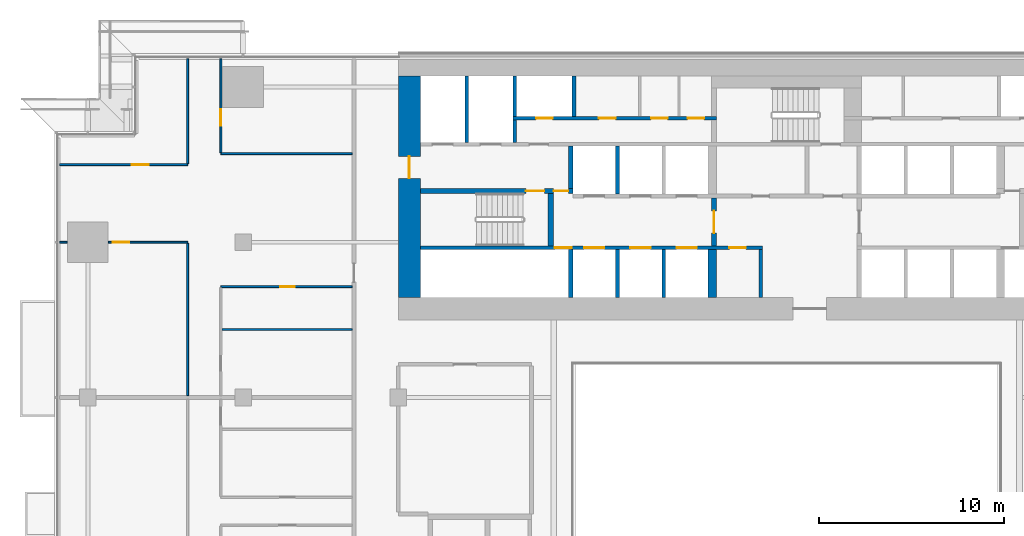
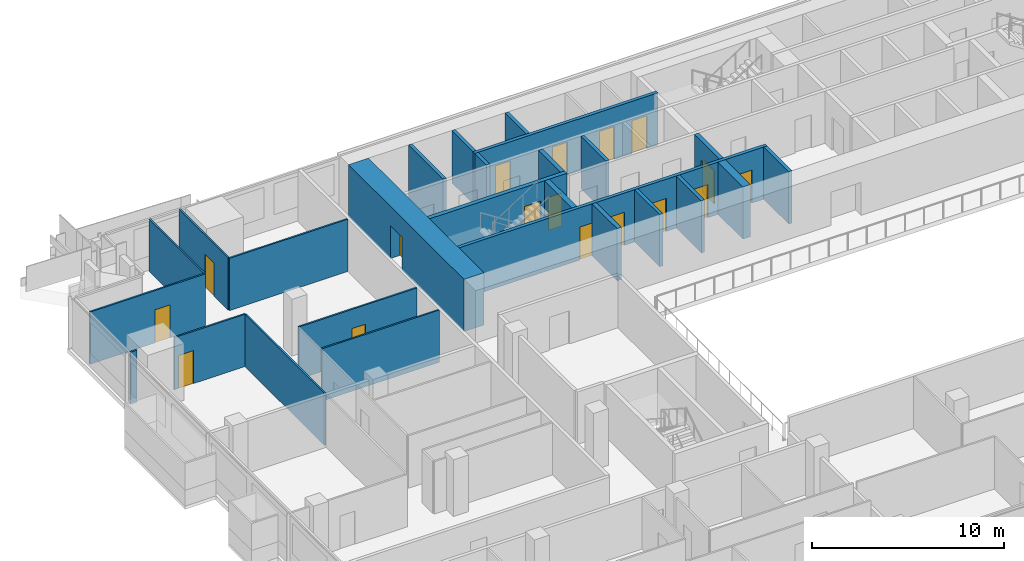
# One storey, part 20 of 29: 26 walls, 17 doors, 17 openings.
"""IFC4 building model written with IfcOpenShell, lengths in metres."""

import ifcopenshell
import ifcopenshell.guid

model = None  # the IFC model being written
_history = None  # IfcOwnerHistory: only IFC2X3 demands one
_inside = {}  # id of a spatial element -> (the spatial element, [elements in it])
_under = {}  # id of a project, library or spatial element -> (it, [spatial elements below it])
_declared = {}  # id of a project -> (the project, [libraries it declares])
_typed = {}  # id of a type object -> (the type object, [elements of that type])
_made_of = {}  # id of a material, layer set ... -> (it, [elements and type objects made of it])


def new_model(schema):
    """Start an empty IFC model of exactly this schema.

    Asked for "IFC4X3", IfcOpenShell would pick the latest addendum, in which some entities
    have other attributes; the version numbers below select the first issue.
    IFC2X3 requires an IfcOwnerHistory on every rooted entity: one is made here for all.
    """
    global model, _history
    if schema == "IFC4X3":
        model = ifcopenshell.file(schema_version=(4, 3, 0, 0))
    else:
        model = ifcopenshell.file(schema=schema)
    _inside.clear()
    _under.clear()
    _declared.clear()
    _typed.clear()
    _made_of.clear()
    _history = None
    if model.schema == "IFC2X3":
        org = make("IfcOrganization", Name="unknown")
        user = make(
            "IfcPersonAndOrganization",
            ThePerson=make("IfcPerson", FamilyName="unknown"),
            TheOrganization=org,
        )
        app = make(
            "IfcApplication",
            ApplicationDeveloper=org,
            Version="unknown",
            ApplicationFullName="unknown",
            ApplicationIdentifier="unknown",
        )
        _history = make(
            "IfcOwnerHistory",
            OwningUser=user,
            OwningApplication=app,
            ChangeAction="ADDED",
            CreationDate=0,
        )
    return model


def make(cls, **values):
    """One entity of the class cls with the attributes given. An attribute that is None is left unset."""
    return model.create_entity(
        cls, **{name: value for name, value in values.items() if value is not None}
    )


def rooted(cls, **values):
    """An entity with a GlobalId (a new one), such as an element, a storey or a relation."""
    return make(cls, GlobalId=ifcopenshell.guid.new(), OwnerHistory=_history, **values)


def si_unit(unit_type, name, prefix=None):
    """IfcSIUnit, for example si_unit("LENGTHUNIT", "METRE", prefix="MILLI")."""
    return make("IfcSIUnit", UnitType=unit_type, Prefix=prefix, Name=name)


def assignment(units):
    """IfcUnitAssignment: the units of a project."""
    return None if units is None else make("IfcUnitAssignment", Units=units)


def point(xyz):
    """IfcCartesianPoint."""
    return None if xyz is None else make("IfcCartesianPoint", Coordinates=xyz)


def direction(xyz):
    """IfcDirection."""
    return None if xyz is None else make("IfcDirection", DirectionRatios=xyz)


def frame(location, z_axis=None, x_axis=None):
    """IfcAxis2Placement3D, a coordinate frame: its origin and axes. An axis left out is left unset."""
    return make(
        "IfcAxis2Placement3D",
        Location=point(location),
        Axis=direction(z_axis),
        RefDirection=direction(x_axis),
    )


def frame_2d(location, x_axis=None):
    """IfcAxis2Placement2D, a coordinate frame in the plane: its origin and x axis."""
    return make(
        "IfcAxis2Placement2D", Location=point(location), RefDirection=direction(x_axis)
    )


def origin():
    """The frame at (0, 0, 0) with its axes left unset."""
    return frame((0.0, 0.0, 0.0))


def place(relative_to, where):
    """IfcLocalPlacement: puts the frame where relative to a parent placement (None: the world)."""
    return make(
        "IfcLocalPlacement", PlacementRelTo=relative_to, RelativePlacement=where
    )


def context(
    kind, dimensions, precision=None, world=None, true_north=None, identifier=None
):
    """IfcGeometricRepresentationContext, for example the 3D "Model" context."""
    return make(
        "IfcGeometricRepresentationContext",
        ContextIdentifier=identifier,
        ContextType=kind,
        CoordinateSpaceDimension=dimensions,
        Precision=precision,
        WorldCoordinateSystem=world,
        TrueNorth=true_north,
    )


def subcontext(parent, identifier, kind, view, scale=None):
    """IfcGeometricRepresentationSubContext, for example "Body" below "Model"."""
    return make(
        "IfcGeometricRepresentationSubContext",
        ContextIdentifier=identifier,
        ContextType=kind,
        ParentContext=parent,
        TargetScale=scale,
        TargetView=view,
    )


def project(units=None, contexts=None):
    """IfcProject with its units and contexts."""
    return rooted(
        "IfcProject",
        Name="project",
        RepresentationContexts=contexts,
        UnitsInContext=assignment(units),
    )


def spatial(cls, under=None, at=None, **own):
    """A site, building, storey or space (cls), placed at a placement, below another one or the project."""
    s = rooted(cls, ObjectPlacement=at, **own)
    if under is not None:
        _under.setdefault(under.id(), (under, []))[1].append(s)
    return s


def profile(cls, at=None, kind="AREA", **sizes):
    """A parametric profile (cls). Its sizes go by their IFC names, for example OverallWidth=200.0."""
    return make(cls, ProfileType=kind, Position=at, **sizes)


def rectangle(**sizes):
    """IfcRectangleProfileDef."""
    return profile("IfcRectangleProfileDef", **sizes)


def extrude(swept, where, along, depth):
    """IfcExtrudedAreaSolid: the profile swept, set in the frame where, extruded along a direction by depth."""
    return make(
        "IfcExtrudedAreaSolid",
        SweptArea=swept,
        Position=where,
        ExtrudedDirection=direction(along),
        Depth=depth,
    )


def shape(context_of_items, identifier, shape_type, items):
    """IfcShapeRepresentation: the items that make up one representation, for example the "Body"."""
    return make(
        "IfcShapeRepresentation",
        ContextOfItems=context_of_items,
        RepresentationIdentifier=identifier,
        RepresentationType=shape_type,
        Items=items,
    )


def material(Name=None, Category=None):
    """IfcMaterial."""
    return make("IfcMaterial", Name=Name, Category=Category)


def layer(
    of_material, thickness, ventilated=None, Name=None, Category=None, Priority=None
):
    """IfcMaterialLayer: one layer of a wall or slab, of a material (None: an air gap)."""
    return make(
        "IfcMaterialLayer",
        Material=of_material,
        LayerThickness=thickness,
        IsVentilated=ventilated,
        Name=Name,
        Category=Category,
        Priority=Priority,
    )


def layer_set(layers, Name=None):
    """IfcMaterialLayerSet."""
    return make("IfcMaterialLayerSet", MaterialLayers=layers, LayerSetName=Name)


def made_of(thing, what):
    """Note that an element or type object is made of a material, layer set ...; save() writes the relation."""
    if what is not None:
        _made_of.setdefault(what.id(), (what, []))[1].append(thing)
    return thing


def type_object(cls, material=None, **own):
    """A type object (cls), such as IfcWallType, which elements share."""
    return made_of(rooted(cls, **own), material)


def element(
    cls,
    number,
    at=None,
    inside=None,
    cuts=None,
    type_object=None,
    material=None,
    context=None,
    identifier="Body",
    shape_type=None,
    held_by="IfcProductDefinitionShape",
    body=None,
    shapes=None,
    **own,
):
    """One element of the class cls, such as IfcWall. Its Tag is "e" and its number.

    at: its placement. inside: the storey or other place that contains it. cuts: it is an
    opening in that element (IfcRelVoidsElement). A single representation is given by context,
    identifier, shape_type and body (its items); several are given by shapes. held_by: the class
    of the entity that holds the representations. save() writes the other relations.
    """
    e = rooted(cls, Tag="e%d" % number, ObjectPlacement=at, **own)
    if body is not None:
        shapes = [shape(context, identifier, shape_type, body)]
    if shapes is not None:
        e.Representation = make(held_by, Representations=shapes)
    if inside is not None:
        _inside.setdefault(inside.id(), (inside, []))[1].append(e)
    if cuts is not None:
        rooted(
            "IfcRelVoidsElement", RelatingBuildingElement=cuts, RelatedOpeningElement=e
        )
    if type_object is not None:
        _typed.setdefault(type_object.id(), (type_object, []))[1].append(e)
    return made_of(e, material)


def fill(opening, filler):
    """IfcRelFillsElement: the door or window that sits in an opening."""
    return rooted(
        "IfcRelFillsElement",
        RelatingOpeningElement=opening,
        RelatedBuildingElement=filler,
    )


def aggregate(whole, parts):
    """IfcRelAggregates: a whole, such as a stair, and the parts it consists of."""
    return rooted("IfcRelAggregates", RelatingObject=whole, RelatedObjects=parts)


def save(model, path):
    """Write the relations noted so far, then the file.

    IfcRelAggregates (storeys below a building ...), IfcRelContainedInSpatialStructure (elements
    in a storey), IfcRelDefinesByType, IfcRelAssociatesMaterial and IfcRelDeclares: one each for
    every whole, place, type object, material and project.
    """
    for whole, parts in _under.values():
        aggregate(whole, parts)
    for where, things in _inside.values():
        rooted(
            "IfcRelContainedInSpatialStructure",
            RelatedElements=things,
            RelatingStructure=where,
        )
    for kind, things in _typed.values():
        rooted("IfcRelDefinesByType", RelatedObjects=things, RelatingType=kind)
    for what, things in _made_of.values():
        rooted("IfcRelAssociatesMaterial", RelatedObjects=things, RelatingMaterial=what)
    for by, libraries in _declared.values():
        rooted("IfcRelDeclares", RelatingContext=by, RelatedDefinitions=libraries)
    model.write(path)


model = new_model("IFC4")

# Units and contexts
model_context = context("Model", 3, precision=1e-05, world=origin(), true_north=direction((0.0, 1.0)))
body_context = subcontext(model_context, "Body", "Model", "MODEL_VIEW")
ifc_project = project(units=[si_unit("LENGTHUNIT", "METRE"), si_unit("AREAUNIT", "SQUARE_METRE"), si_unit("VOLUMEUNIT", "CUBIC_METRE"), si_unit("PLANEANGLEUNIT", "RADIAN"), si_unit("MASSUNIT", "GRAM", prefix="KILO")], contexts=[model_context])

# Site, building, storey
site_placement = place(None, origin())
site = spatial("IfcSite", under=ifc_project, at=site_placement, CompositionType="ELEMENT")
building_placement = place(site_placement, origin())
building = spatial("IfcBuilding", under=site, at=building_placement, Name="Saffron Gate Tower", CompositionType="ELEMENT")
storey_placement = place(building_placement, frame((0.0, 0.0, 48.0)))
storey = spatial("IfcBuildingStorey", under=building, at=storey_placement, Name="L10", CompositionType="ELEMENT", Elevation=48.0)

# Wall, opening, door
ifc_material_1 = material(Name="Concrete C70", Category="concrete")
ifc_layer_1 = layer(ifc_material_1, 1.199951171875)
ifc_layer_set_1 = layer_set([ifc_layer_1], Name="CW1 RC core wall 1200 C70")
wall_type_1 = type_object("IfcWallType", Name="CW1 RC core wall 1200 C70", PredefinedType="SOLIDWALL", material=ifc_layer_set_1)
wall_1_placement = place(storey_placement, frame((67.199951171875, 62.39990234375, 0.0), z_axis=(0.0, 0.0, 1.0), x_axis=(0.0, 1.0, 0.0)))
wall_1 = element("IfcWall", 1, at=wall_1_placement, inside=storey, type_object=wall_type_1, Name="Wall CW1-L10-3", PredefinedType="SOLIDWALL", context=body_context, shape_type="SweptSolid", body=[
    extrude(rectangle(XDim=12.0, YDim=1.199951171875, at=frame_2d((6.0, 0.0))), origin(), (0.0, 0.0, 1.0), 3.320068359375),
])
opening_1_placement = place(wall_1_placement, frame((6.449951171875, 0.0, 0.0)))
opening_1 = element("IfcOpeningElement", 2, at=opening_1_placement, cuts=wall_1, Name="Opening CR-10", PredefinedType="OPENING", context=body_context, shape_type="SweptSolid", body=[
    extrude(rectangle(XDim=1.199951171875, YDim=2.10009765625, at=frame_2d((0.60009765625, 1.050048828125))), frame((0.0, 0.60986328125, 0.0), z_axis=(0.0, -1.0, 0.0), x_axis=(1.0, 0.0, 0.0)), (0.0, 0.0, 1.0), 1.219970703125),
])
ifc_material_2 = material(Name="Steel fire door set", Category="steel")
door_type_1 = type_object("IfcDoorType", Name="CD7 Core entrance door 1200x2100 EI 120", OperationType="NOTDEFINED", PredefinedType="DOOR", material=ifc_material_2)
door_1_placement = place(opening_1_placement, origin())
door_1 = element("IfcDoor", 3, at=door_1_placement, inside=storey, type_object=door_type_1, Name="DOOR CR-10", OperationType="SINGLE_SWING_LEFT", OverallHeight=2.10009765625, OverallWidth=1.199951171875, PredefinedType="DOOR", context=body_context, shape_type="SweptSolid", body=[
    extrude(rectangle(XDim=1.199951171875, YDim=2.10009765625, at=frame_2d((0.60009765625, 1.050048828125))), frame((0.0, 0.02490234375, 0.0), z_axis=(0.0, -1.0, 0.0), x_axis=(1.0, 0.0, 0.0)), (0.0, 0.0, 1.0), 0.050048828125),
])
fill(opening_1, door_1)

# Walls
ifc_material_3 = material(Name="Gypsum board partition on steel studs", Category="steel")
ifc_layer_2 = layer(ifc_material_3, 0.199951171875)
ifc_layer_set_2 = layer_set([ifc_layer_2], Name="CW10 Core partition 200")
wall_type_2 = type_object("IfcWallType", Name="CW10 Core partition 200", PredefinedType="PARTITIONING", material=ifc_layer_set_2)
wall_2_placement = place(storey_placement, frame((86.199951171875, 62.39990234375, 0.0), z_axis=(0.0, 0.0, 1.0), x_axis=(0.0, 1.0, 0.0)))
element("IfcWall", 4, at=wall_2_placement, inside=storey, type_object=wall_type_2, Name="Wall CW10-L10-9", PredefinedType="PARTITIONING", context=body_context, shape_type="SweptSolid", body=[
    extrude(rectangle(XDim=2.60009765625, YDim=0.199951171875, at=frame_2d((1.300048828125, 0.0))), origin(), (0.0, 0.0, 1.0), 3.320068359375),
])
ifc_layer_3 = layer(ifc_material_1, 0.25)
ifc_layer_set_3 = layer_set([ifc_layer_3], Name="CW2 RC core wall 250 C70")
wall_type_3 = type_object("IfcWallType", Name="CW2 RC core wall 250 C70", PredefinedType="SOLIDWALL", material=ifc_layer_set_3)
wall_3_placement = place(storey_placement, frame((75.925048828125, 62.39990234375, 0.0), z_axis=(0.0, 0.0, 1.0), x_axis=(0.0, 1.0, 0.0)))
element("IfcWall", 5, at=wall_3_placement, inside=storey, type_object=wall_type_3, Name="Wall CW2-L10-5", PredefinedType="SOLIDWALL", context=body_context, shape_type="SweptSolid", body=[
    extrude(rectangle(XDim=2.60009765625, YDim=0.25, at=frame_2d((1.300048828125, 0.0))), origin(), (0.0, 0.0, 1.0), 3.320068359375),
])

# Wall, opening, door
wall_4_placement = place(storey_placement, frame((83.675048828125, 65.199951171875, 0.0), z_axis=(0.0, 0.0, 1.0), x_axis=(0.0, 1.0, 0.0)))
wall_4 = element("IfcWall", 6, at=wall_4_placement, inside=storey, type_object=wall_type_3, Name="Wall CW2-L10-17", PredefinedType="SOLIDWALL", context=body_context, shape_type="SweptSolid", body=[
    extrude(rectangle(XDim=2.60009765625, YDim=0.25, at=frame_2d((1.300048828125, 0.0))), origin(), (0.0, 0.0, 1.0), 3.320068359375),
])
opening_2_placement = place(wall_4_placement, frame((0.699951171875, 0.0, 0.0)))
opening_2 = element("IfcOpeningElement", 7, at=opening_2_placement, cuts=wall_4, Name="Opening CR-07", PredefinedType="OPENING", context=body_context, shape_type="SweptSolid", body=[
    extrude(rectangle(XDim=1.199951171875, YDim=2.10009765625, at=frame_2d((0.60009765625, 1.050048828125))), frame((0.0, 0.135009765625, 0.0), z_axis=(0.0, -1.0, 0.0), x_axis=(1.0, 0.0, 0.0)), (0.0, 0.0, 1.0), 0.27001953125),
])
door_type_2 = type_object("IfcDoorType", Name="CD3 Lobby door 1200x2100 EI 120", OperationType="NOTDEFINED", PredefinedType="DOOR", material=ifc_material_2)
door_2_placement = place(opening_2_placement, origin())
door_2 = element("IfcDoor", 8, at=door_2_placement, inside=storey, type_object=door_type_2, Name="DOOR CR-07", OperationType="SINGLE_SWING_RIGHT", OverallHeight=2.10009765625, OverallWidth=1.199951171875, PredefinedType="DOOR", context=body_context, shape_type="SweptSolid", body=[
    extrude(rectangle(XDim=1.199951171875, YDim=2.10009765625, at=frame_2d((0.60009765625, 1.050048828125))), frame((0.0, 0.02490234375, 0.0), z_axis=(0.0, -1.0, 0.0), x_axis=(1.0, 0.0, 0.0)), (0.0, 0.0, 1.0), 0.050048828125),
])
fill(opening_2, door_2)

# Wall, openings, doors
wall_5_placement = place(storey_placement, frame((67.800048828125, 68.175048828125, 0.0), z_axis=(0.0, 0.0, 1.0), x_axis=(1.0, 0.0, 0.0)))
wall_5 = element("IfcWall", 9, at=wall_5_placement, inside=storey, type_object=wall_type_3, Name="Wall CW2-L10-29", PredefinedType="SOLIDWALL", context=body_context, shape_type="SweptSolid", body=[
    extrude(rectangle(XDim=8.25, YDim=0.25, at=frame_2d((4.125, 0.0))), origin(), (0.0, 0.0, 1.0), 3.320068359375),
])
opening_3_placement = place(wall_5_placement, frame((5.699951171875, 0.0, 0.0)))
opening_3 = element("IfcOpeningElement", 10, at=opening_3_placement, cuts=wall_5, Name="Opening CR-15", PredefinedType="OPENING", context=body_context, shape_type="SweptSolid", body=[
    extrude(rectangle(XDim=1.0, YDim=2.10009765625, at=frame_2d((0.5, 1.050048828125))), frame((0.0, 0.135009765625, 0.0), z_axis=(0.0, -1.0, 0.0), x_axis=(1.0, 0.0, 0.0)), (0.0, 0.0, 1.0), 0.27001953125),
])
opening_4_placement = place(wall_5_placement, frame((7.199951171875, 0.0, 0.0)))
opening_4 = element("IfcOpeningElement", 11, at=opening_4_placement, cuts=wall_5, Name="Opening CR-06", PredefinedType="OPENING", context=body_context, shape_type="SweptSolid", body=[
    extrude(rectangle(XDim=0.800048828125, YDim=2.10009765625, at=frame_2d((0.39990234375, 1.050048828125))), frame((0.0, 0.135009765625, 0.0), z_axis=(0.0, -1.0, 0.0), x_axis=(1.0, 0.0, 0.0)), (0.0, 0.0, 1.0), 0.27001953125),
])
door_type_3 = type_object("IfcDoorType", Name="CD5 Stair door 1000x2100 EI 120", OperationType="NOTDEFINED", PredefinedType="DOOR", material=ifc_material_2)
door_3_placement = place(opening_3_placement, origin())
door_3 = element("IfcDoor", 12, at=door_3_placement, inside=storey, type_object=door_type_3, Name="DOOR CR-15", OperationType="SINGLE_SWING_RIGHT", OverallHeight=2.10009765625, OverallWidth=1.0, PredefinedType="DOOR", context=body_context, shape_type="SweptSolid", body=[
    extrude(rectangle(XDim=1.0, YDim=2.10009765625, at=frame_2d((0.5, 1.050048828125))), frame((0.0, 0.02490234375, 0.0), z_axis=(0.0, -1.0, 0.0), x_axis=(1.0, 0.0, 0.0)), (0.0, 0.0, 1.0), 0.050048828125),
])
fill(opening_3, door_3)
door_type_4 = type_object("IfcDoorType", Name="CD6 Lobby door 800x2100 EI 120", OperationType="NOTDEFINED", PredefinedType="DOOR", material=ifc_material_2)
door_4_placement = place(opening_4_placement, origin())
door_4 = element("IfcDoor", 13, at=door_4_placement, inside=storey, type_object=door_type_4, Name="DOOR CR-06", OperationType="SINGLE_SWING_LEFT", OverallHeight=2.10009765625, OverallWidth=0.800048828125, PredefinedType="DOOR", context=body_context, shape_type="SweptSolid", body=[
    extrude(rectangle(XDim=0.800048828125, YDim=2.10009765625, at=frame_2d((0.39990234375, 1.050048828125))), frame((0.0, 0.02490234375, 0.0), z_axis=(0.0, -1.0, 0.0), x_axis=(1.0, 0.0, 0.0)), (0.0, 0.0, 1.0), 0.050048828125),
])
fill(opening_4, door_4)

# Walls
wall_6_placement = place(storey_placement, frame((75.925048828125, 68.300048828125, 0.0), z_axis=(0.0, 0.0, 1.0), x_axis=(0.0, 1.0, 0.0)))
element("IfcWall", 14, at=wall_6_placement, inside=storey, type_object=wall_type_3, Name="Wall CW2-L10-31", PredefinedType="SOLIDWALL", context=body_context, shape_type="SweptSolid", body=[
    extrude(rectangle(XDim=2.300048828125, YDim=0.25, at=frame_2d((1.14990234375, 0.0))), origin(), (0.0, 0.0, 1.0), 3.320068359375),
])
ifc_layer_4 = layer(ifc_material_1, 0.199951171875)
ifc_layer_set_4 = layer_set([ifc_layer_4], Name="CW3 RC core wall 200 C70")
wall_type_4 = type_object("IfcWallType", Name="CW3 RC core wall 200 C70", PredefinedType="SOLIDWALL", material=ifc_layer_set_4)
for number, where, z_axis, x_axis, name in (
    (15, (78.449951171875, 62.39990234375, 0.0), (0.0, 0.0, 1.0), (0.0, 1.0, 0.0), "Wall CW3-L10-6"),
    (16, (80.949951171875, 62.39990234375, 0.0), (0.0, 0.0, 1.0), (0.0, 1.0, 0.0), "Wall CW3-L10-7"),
):
    element("IfcWall", number, at=place(storey_placement, frame(where, z_axis=z_axis, x_axis=x_axis)), inside=storey, type_object=wall_type_4, Name=name, PredefinedType="SOLIDWALL", context=body_context, shape_type="SweptSolid", body=[
        extrude(rectangle(XDim=2.60009765625, YDim=0.199951171875, at=frame_2d((1.300048828125, 0.0))), origin(), (0.0, 0.0, 1.0), 3.320068359375),
    ])

# Wall, openings, doors
wall_7_placement = place(storey_placement, frame((67.800048828125, 65.10009765625, 0.0), z_axis=(0.0, 0.0, 1.0), x_axis=(1.0, 0.0, 0.0)))
wall_7 = element("IfcWall", 17, at=wall_7_placement, inside=storey, type_object=wall_type_4, Name="Wall CW3-L10-14", PredefinedType="SOLIDWALL", context=body_context, shape_type="SweptSolid", body=[
    extrude(rectangle(XDim=18.5, YDim=0.199951171875, at=frame_2d((9.25, 0.0))), origin(), (0.0, 0.0, 1.0), 3.320068359375),
])
opening_5_placement = place(wall_7_placement, frame((7.27001953125, 0.0, 0.0)))
opening_5 = element("IfcOpeningElement", 18, at=opening_5_placement, cuts=wall_7, Name="Opening CR-49", PredefinedType="OPENING", context=body_context, shape_type="SweptSolid", body=[
    extrude(rectangle(XDim=0.89990234375, YDim=2.10009765625, at=frame_2d((0.449951171875, 1.050048828125))), frame((0.0, 0.10986328125, 0.0), z_axis=(0.0, -1.0, 0.0), x_axis=(1.0, 0.0, 0.0)), (0.0, 0.0, 1.0), 0.219970703125),
])
opening_6_placement = place(wall_7_placement, frame((8.85009765625, 0.0, 0.0)))
opening_6 = element("IfcOpeningElement", 19, at=opening_6_placement, cuts=wall_7, Name="Opening LD-LR1", PredefinedType="OPENING", context=body_context, shape_type="SweptSolid", body=[
    extrude(rectangle(XDim=1.10009765625, YDim=2.10009765625, at=frame_2d((0.550048828125, 1.050048828125))), frame((0.0, 0.10986328125, 0.0), z_axis=(0.0, -1.0, 0.0), x_axis=(1.0, 0.0, 0.0)), (0.0, 0.0, 1.0), 0.219970703125),
])
opening_7_placement = place(wall_7_placement, frame((11.35009765625, 0.0, 0.0)))
opening_7 = element("IfcOpeningElement", 20, at=opening_7_placement, cuts=wall_7, Name="Opening LD-LR2", PredefinedType="OPENING", context=body_context, shape_type="SweptSolid", body=[
    extrude(rectangle(XDim=1.10009765625, YDim=2.10009765625, at=frame_2d((0.550048828125, 1.050048828125))), frame((0.0, 0.10986328125, 0.0), z_axis=(0.0, -1.0, 0.0), x_axis=(1.0, 0.0, 0.0)), (0.0, 0.0, 1.0), 0.219970703125),
])
opening_8_placement = place(wall_7_placement, frame((13.85009765625, 0.0, 0.0)))
opening_8 = element("IfcOpeningElement", 21, at=opening_8_placement, cuts=wall_7, Name="Opening LD-LR3", PredefinedType="OPENING", context=body_context, shape_type="SweptSolid", body=[
    extrude(rectangle(XDim=1.10009765625, YDim=2.10009765625, at=frame_2d((0.550048828125, 1.050048828125))), frame((0.0, 0.10986328125, 0.0), z_axis=(0.0, -1.0, 0.0), x_axis=(1.0, 0.0, 0.0)), (0.0, 0.0, 1.0), 0.219970703125),
])
opening_9_placement = place(wall_7_placement, frame((16.699951171875, 0.0, 0.0)))
opening_9 = element("IfcOpeningElement", 22, at=opening_9_placement, cuts=wall_7, Name="Opening CR-69", PredefinedType="OPENING", context=body_context, shape_type="SweptSolid", body=[
    extrude(rectangle(XDim=0.89990234375, YDim=2.10009765625, at=frame_2d((0.449951171875, 1.050048828125))), frame((0.0, 0.10986328125, 0.0), z_axis=(0.0, -1.0, 0.0), x_axis=(1.0, 0.0, 0.0)), (0.0, 0.0, 1.0), 0.219970703125),
])
door_type_5 = type_object("IfcDoorType", Name="CD2 Riser door 900x2100 EI 60", OperationType="NOTDEFINED", PredefinedType="DOOR", material=ifc_material_2)
door_5_placement = place(opening_5_placement, origin())
door_5 = element("IfcDoor", 23, at=door_5_placement, inside=storey, type_object=door_type_5, Name="DOOR CR-49", OperationType="SINGLE_SWING_LEFT", OverallHeight=2.10009765625, OverallWidth=0.89990234375, PredefinedType="DOOR", context=body_context, shape_type="SweptSolid", body=[
    extrude(rectangle(XDim=0.89990234375, YDim=2.10009765625, at=frame_2d((0.449951171875, 1.050048828125))), frame((0.0, 0.02490234375, 0.0), z_axis=(0.0, -1.0, 0.0), x_axis=(1.0, 0.0, 0.0)), (0.0, 0.0, 1.0), 0.050048828125),
])
fill(opening_5, door_5)
door_type_6 = type_object("IfcDoorType", Name="CD9 Room door 900x2100 EI 60", OperationType="NOTDEFINED", PredefinedType="DOOR", material=ifc_material_2)
door_6_placement = place(opening_9_placement, origin())
door_6 = element("IfcDoor", 24, at=door_6_placement, inside=storey, type_object=door_type_6, Name="DOOR CR-69", OperationType="SINGLE_SWING_RIGHT", OverallHeight=2.10009765625, OverallWidth=0.89990234375, PredefinedType="DOOR", context=body_context, shape_type="SweptSolid", body=[
    extrude(rectangle(XDim=0.89990234375, YDim=2.10009765625, at=frame_2d((0.449951171875, 1.050048828125))), frame((0.0, 0.02490234375, 0.0), z_axis=(0.0, -1.0, 0.0), x_axis=(1.0, 0.0, 0.0)), (0.0, 0.0, 1.0), 0.050048828125),
])
fill(opening_9, door_6)
ifc_material_4 = material(Name="Stainless steel landing door", Category="steel")
door_type_7 = type_object("IfcDoorType", Name="LD Lift landing door 1100x2100 EI 120", OperationType="SLIDING_TO_LEFT", PredefinedType="DOOR", material=ifc_material_4)
door_7_placement = place(opening_6_placement, origin())
door_7 = element("IfcDoor", 25, at=door_7_placement, inside=storey, type_object=door_type_7, Name="LANDING DOOR LD-LR1", OperationType="SLIDING_TO_LEFT", OverallHeight=2.10009765625, OverallWidth=1.10009765625, PredefinedType="DOOR", context=body_context, shape_type="SweptSolid", body=[
    extrude(rectangle(XDim=1.10009765625, YDim=2.10009765625, at=frame_2d((0.550048828125, 1.050048828125))), frame((0.0, 0.02490234375, 0.0), z_axis=(0.0, -1.0, 0.0), x_axis=(1.0, 0.0, 0.0)), (0.0, 0.0, 1.0), 0.050048828125),
])
fill(opening_6, door_7)
door_8_placement = place(opening_7_placement, origin())
door_8 = element("IfcDoor", 26, at=door_8_placement, inside=storey, type_object=door_type_7, Name="LANDING DOOR LD-LR2", OperationType="SLIDING_TO_LEFT", OverallHeight=2.10009765625, OverallWidth=1.10009765625, PredefinedType="DOOR", context=body_context, shape_type="SweptSolid", body=[
    extrude(rectangle(XDim=1.10009765625, YDim=2.10009765625, at=frame_2d((0.550048828125, 1.050048828125))), frame((0.0, 0.02490234375, 0.0), z_axis=(0.0, -1.0, 0.0), x_axis=(1.0, 0.0, 0.0)), (0.0, 0.0, 1.0), 0.050048828125),
])
fill(opening_7, door_8)
door_9_placement = place(opening_8_placement, origin())
door_9 = element("IfcDoor", 27, at=door_9_placement, inside=storey, type_object=door_type_7, Name="LANDING DOOR LD-LR3", OperationType="SLIDING_TO_LEFT", OverallHeight=2.10009765625, OverallWidth=1.10009765625, PredefinedType="DOOR", context=body_context, shape_type="SweptSolid", body=[
    extrude(rectangle(XDim=1.10009765625, YDim=2.10009765625, at=frame_2d((0.550048828125, 1.050048828125))), frame((0.0, 0.02490234375, 0.0), z_axis=(0.0, -1.0, 0.0), x_axis=(1.0, 0.0, 0.0)), (0.0, 0.0, 1.0), 0.050048828125),
])
fill(opening_8, door_9)

# Walls
wall_8_placement = place(storey_placement, frame((78.449951171875, 68.0, 0.0), z_axis=(0.0, 0.0, 1.0), x_axis=(0.0, 1.0, 0.0)))
element("IfcWall", 28, at=wall_8_placement, inside=storey, type_object=wall_type_4, Name="Wall CW3-L10-21", PredefinedType="SOLIDWALL", context=body_context, shape_type="SweptSolid", body=[
    extrude(rectangle(XDim=2.60009765625, YDim=0.199951171875, at=frame_2d((1.300048828125, 0.0))), origin(), (0.0, 0.0, 1.0), 3.320068359375),
])
wall_9_placement = place(storey_placement, frame((70.300048828125, 70.800048828125, 0.0), z_axis=(0.0, 0.0, 1.0), x_axis=(0.0, 1.0, 0.0)))
element("IfcWall", 29, at=wall_9_placement, inside=storey, type_object=wall_type_4, Name="Wall CW3-L10-34", PredefinedType="SOLIDWALL", context=body_context, shape_type="SweptSolid", body=[
    extrude(rectangle(XDim=3.599853515625, YDim=0.199951171875, at=frame_2d((1.7998046875, 0.0))), origin(), (0.0, 0.0, 1.0), 3.320068359375),
])
wall_10_placement = place(storey_placement, frame((72.89990234375, 70.800048828125, 0.0), z_axis=(0.0, 0.0, 1.0), x_axis=(0.0, 1.0, 0.0)))
element("IfcWall", 30, at=wall_10_placement, inside=storey, type_object=wall_type_4, Name="Wall CW3-L10-35", PredefinedType="SOLIDWALL", context=body_context, shape_type="SweptSolid", body=[
    extrude(rectangle(XDim=1.199951171875, YDim=0.199951171875, at=frame_2d((0.60009765625, 0.0))), origin(), (0.0, 0.0, 1.0), 3.320068359375),
])

# Wall, openings, doors
wall_11_placement = place(storey_placement, frame((72.800048828125, 72.10009765625, 0.0), z_axis=(0.0, 0.0, 1.0), x_axis=(1.0, 0.0, 0.0)))
wall_11 = element("IfcWall", 31, at=wall_11_placement, inside=storey, type_object=wall_type_4, Name="Wall CW3-L10-40", PredefinedType="SOLIDWALL", context=body_context, shape_type="SweptSolid", body=[
    extrude(rectangle(XDim=11.0, YDim=0.199951171875, at=frame_2d((5.5, 0.0))), origin(), (0.0, 0.0, 1.0), 3.320068359375),
])
opening_10_placement = place(wall_11_placement, frame((1.25, 0.0, 0.0)))
opening_10 = element("IfcOpeningElement", 32, at=opening_10_placement, cuts=wall_11, Name="Opening CR-71", PredefinedType="OPENING", context=body_context, shape_type="SweptSolid", body=[
    extrude(rectangle(XDim=0.89990234375, YDim=2.10009765625, at=frame_2d((0.449951171875, 1.050048828125))), frame((0.0, 0.10986328125, 0.0), z_axis=(0.0, -1.0, 0.0), x_axis=(1.0, 0.0, 0.0)), (0.0, 0.0, 1.0), 0.219970703125),
])
opening_11_placement = place(wall_11_placement, frame((4.64990234375, 0.0, 0.0)))
opening_11 = element("IfcOpeningElement", 33, at=opening_11_placement, cuts=wall_11, Name="Opening CR-55", PredefinedType="OPENING", context=body_context, shape_type="SweptSolid", body=[
    extrude(rectangle(XDim=0.89990234375, YDim=2.10009765625, at=frame_2d((0.449951171875, 1.050048828125))), frame((0.0, 0.10986328125, 0.0), z_axis=(0.0, -1.0, 0.0), x_axis=(1.0, 0.0, 0.0)), (0.0, 0.0, 1.0), 0.219970703125),
])
opening_12_placement = place(wall_11_placement, frame((7.469970703125, 0.0, 0.0)))
opening_12 = element("IfcOpeningElement", 34, at=opening_12_placement, cuts=wall_11, Name="Opening CR-58", PredefinedType="OPENING", context=body_context, shape_type="SweptSolid", body=[
    extrude(rectangle(XDim=0.89990234375, YDim=2.10009765625, at=frame_2d((0.449951171875, 1.050048828125))), frame((0.0, 0.10986328125, 0.0), z_axis=(0.0, -1.0, 0.0), x_axis=(1.0, 0.0, 0.0)), (0.0, 0.0, 1.0), 0.219970703125),
])
opening_13_placement = place(wall_11_placement, frame((9.445068359375, 0.0, 0.0)))
opening_13 = element("IfcOpeningElement", 35, at=opening_13_placement, cuts=wall_11, Name="Opening CR-59", PredefinedType="OPENING", context=body_context, shape_type="SweptSolid", body=[
    extrude(rectangle(XDim=0.89990234375, YDim=2.10009765625, at=frame_2d((0.449951171875, 1.050048828125))), frame((0.0, 0.10986328125, 0.0), z_axis=(0.0, -1.0, 0.0), x_axis=(1.0, 0.0, 0.0)), (0.0, 0.0, 1.0), 0.219970703125),
])
door_10_placement = place(opening_10_placement, origin())
door_10 = element("IfcDoor", 36, at=door_10_placement, inside=storey, type_object=door_type_5, Name="DOOR CR-71", OperationType="SINGLE_SWING_LEFT", OverallHeight=2.10009765625, OverallWidth=0.89990234375, PredefinedType="DOOR", context=body_context, shape_type="SweptSolid", body=[
    extrude(rectangle(XDim=0.89990234375, YDim=2.10009765625, at=frame_2d((0.449951171875, 1.050048828125))), frame((0.0, 0.02490234375, 0.0), z_axis=(0.0, -1.0, 0.0), x_axis=(1.0, 0.0, 0.0)), (0.0, 0.0, 1.0), 0.050048828125),
])
fill(opening_10, door_10)
door_11_placement = place(opening_11_placement, origin())
door_11 = element("IfcDoor", 37, at=door_11_placement, inside=storey, type_object=door_type_6, Name="DOOR CR-55", OperationType="SINGLE_SWING_LEFT", OverallHeight=2.10009765625, OverallWidth=0.89990234375, PredefinedType="DOOR", context=body_context, shape_type="SweptSolid", body=[
    extrude(rectangle(XDim=0.89990234375, YDim=2.10009765625, at=frame_2d((0.449951171875, 1.050048828125))), frame((0.0, 0.02490234375, 0.0), z_axis=(0.0, -1.0, 0.0), x_axis=(1.0, 0.0, 0.0)), (0.0, 0.0, 1.0), 0.050048828125),
])
fill(opening_11, door_11)
door_12_placement = place(opening_12_placement, origin())
door_12 = element("IfcDoor", 38, at=door_12_placement, inside=storey, type_object=door_type_6, Name="DOOR CR-58", OperationType="SINGLE_SWING_LEFT", OverallHeight=2.10009765625, OverallWidth=0.89990234375, PredefinedType="DOOR", context=body_context, shape_type="SweptSolid", body=[
    extrude(rectangle(XDim=0.89990234375, YDim=2.10009765625, at=frame_2d((0.449951171875, 1.050048828125))), frame((0.0, 0.02490234375, 0.0), z_axis=(0.0, -1.0, 0.0), x_axis=(1.0, 0.0, 0.0)), (0.0, 0.0, 1.0), 0.050048828125),
])
fill(opening_12, door_12)
door_13_placement = place(opening_13_placement, origin())
door_13 = element("IfcDoor", 39, at=door_13_placement, inside=storey, type_object=door_type_6, Name="DOOR CR-59", OperationType="SINGLE_SWING_LEFT", OverallHeight=2.10009765625, OverallWidth=0.89990234375, PredefinedType="DOOR", context=body_context, shape_type="SweptSolid", body=[
    extrude(rectangle(XDim=0.89990234375, YDim=2.10009765625, at=frame_2d((0.449951171875, 1.050048828125))), frame((0.0, 0.02490234375, 0.0), z_axis=(0.0, -1.0, 0.0), x_axis=(1.0, 0.0, 0.0)), (0.0, 0.0, 1.0), 0.050048828125),
])
fill(opening_13, door_13)

# Walls
for number, where, z_axis, x_axis, name in (
    (40, (72.89990234375, 72.199951171875, 0.0), (0.0, 0.0, 1.0), (0.0, 1.0, 0.0), "Wall CW3-L10-42"),
    (41, (76.10009765625, 72.199951171875, 0.0), (0.0, 0.0, 1.0), (0.0, 1.0, 0.0), "Wall CW3-L10-43"),
):
    element("IfcWall", number, at=place(storey_placement, frame(where, z_axis=z_axis, x_axis=x_axis)), inside=storey, type_object=wall_type_4, Name=name, PredefinedType="SOLIDWALL", context=body_context, shape_type="SweptSolid", body=[
        extrude(rectangle(XDim=2.199951171875, YDim=0.199951171875, at=frame_2d((1.10009765625, 0.0))), origin(), (0.0, 0.0, 1.0), 3.320068359375),
    ])
ifc_layer_5 = layer(ifc_material_1, 0.449951171875)
ifc_layer_set_5 = layer_set([ifc_layer_5], Name="CW4 RC core wall 450 C70")
wall_type_5 = type_object("IfcWallType", Name="CW4 RC core wall 450 C70", PredefinedType="SOLIDWALL", material=ifc_layer_set_5)
wall_12_placement = place(storey_placement, frame((83.574951171875, 62.39990234375, 0.0), z_axis=(0.0, 0.0, 1.0), x_axis=(0.0, 1.0, 0.0)))
element("IfcWall", 42, at=wall_12_placement, inside=storey, type_object=wall_type_5, Name="Wall CW4-L10-8", PredefinedType="SOLIDWALL", context=body_context, shape_type="SweptSolid", body=[
    extrude(rectangle(XDim=2.60009765625, YDim=0.449951171875, at=frame_2d((1.300048828125, 0.0))), origin(), (0.0, 0.0, 1.0), 3.320068359375),
])
ifc_layer_6 = layer(ifc_material_1, 0.300048828125)
ifc_layer_set_6 = layer_set([ifc_layer_6], Name="CW5 RC core wall 300 C70")
wall_type_6 = type_object("IfcWallType", Name="CW5 RC core wall 300 C70", PredefinedType="SOLIDWALL", material=ifc_layer_set_6)
wall_13_placement = place(storey_placement, frame((74.85009765625, 65.199951171875, 0.0), z_axis=(0.0, 0.0, 1.0), x_axis=(0.0, 1.0, 0.0)))
element("IfcWall", 43, at=wall_13_placement, inside=storey, type_object=wall_type_6, Name="Wall CW5-L10-16", PredefinedType="SOLIDWALL", context=body_context, shape_type="SweptSolid", body=[
    extrude(rectangle(XDim=2.85009765625, YDim=0.300048828125, at=frame_2d((1.425048828125, 0.0))), origin(), (0.0, 0.0, 1.0), 3.320068359375),
])
ifc_material_5 = material(Name="Plasterboard on steel studs", Category="steel")
ifc_layer_7 = layer(ifc_material_5, 0.10009765625)
ifc_layer_set_7 = layer_set([ifc_layer_7], Name="PW1 Partition 100")
wall_type_7 = type_object("IfcWallType", Name="PW1 Partition 100", PredefinedType="PARTITIONING", material=ifc_layer_set_7)
wall_14_placement = place(storey_placement, frame((57.050048828125, 60.6806640625, 0.0), z_axis=(0.0, 0.0, 1.0), x_axis=(1.0, 0.0, 0.0)))
element("IfcWall", 44, at=wall_14_placement, inside=storey, type_object=wall_type_7, Name="Partition A2-40", PredefinedType="PARTITIONING", context=body_context, shape_type="SweptSolid", body=[
    extrude(rectangle(XDim=7.050048828125, YDim=0.10009765625, at=frame_2d((3.52490234375, 0.0))), origin(), (0.0, 0.0, 1.0), 3.320068359375),
])

# Wall, opening, door
wall_15_placement = place(storey_placement, frame((64.10009765625, 63.0, 0.0), z_axis=(0.0, 0.0, 1.0), x_axis=(-1.0, 0.0, 0.0)))
wall_15 = element("IfcWall", 45, at=wall_15_placement, inside=storey, type_object=wall_type_7, Name="Partition A2-42", PredefinedType="PARTITIONING", context=body_context, shape_type="SweptSolid", body=[
    extrude(rectangle(XDim=7.10009765625, YDim=0.10009765625, at=frame_2d((3.550048828125, 0.0))), origin(), (0.0, 0.0, 1.0), 3.320068359375),
])
opening_14_placement = place(wall_15_placement, frame((3.10009765625, 0.0, 0.0)))
opening_14 = element("IfcOpeningElement", 46, at=opening_14_placement, cuts=wall_15, Name="Opening A2-41", PredefinedType="OPENING", context=body_context, shape_type="SweptSolid", body=[
    extrude(rectangle(XDim=0.800048828125, YDim=2.10009765625, at=frame_2d((0.39990234375, 1.050048828125))), frame((0.0, 0.06005859375, 0.0), z_axis=(0.0, -1.0, 0.0), x_axis=(1.0, 0.0, 0.0)), (0.0, 0.0, 1.0), 0.1201171875),
])
ifc_material_6 = material(Name="Timber door set", Category="wood")
door_type_8 = type_object("IfcDoorType", Name="RD2 Bathroom door 800x2100", OperationType="NOTDEFINED", PredefinedType="DOOR", material=ifc_material_6)
door_14_placement = place(opening_14_placement, origin())
door_14 = element("IfcDoor", 47, at=door_14_placement, inside=storey, type_object=door_type_8, Name="Door A2-41", OperationType="SINGLE_SWING_LEFT", OverallHeight=2.10009765625, OverallWidth=0.800048828125, PredefinedType="DOOR", context=body_context, shape_type="SweptSolid", body=[
    extrude(rectangle(XDim=0.800048828125, YDim=2.10009765625, at=frame_2d((0.39990234375, 1.050048828125))), frame((0.0, 0.02490234375, 0.0), z_axis=(0.0, -1.0, 0.0), x_axis=(1.0, 0.0, 0.0)), (0.0, 0.0, 1.0), 0.050048828125),
])
fill(opening_14, door_14)

# Wall
wall_16_placement = place(storey_placement, frame((48.280029296875, 65.39990234375, 0.0), z_axis=(0.0, 0.0, 1.0), x_axis=(1.0, 0.0, 0.0)))
element("IfcWall", 48, at=wall_16_placement, inside=storey, type_object=wall_type_7, Name="Partition A2-46", PredefinedType="PARTITIONING", context=body_context, shape_type="SweptSolid", body=[
    extrude(rectangle(XDim=0.39990234375, YDim=0.10009765625, at=frame_2d((0.199951171875, 0.0))), origin(), (0.0, 0.0, 1.0), 3.320068359375),
])

# Wall, opening, door
wall_17_placement = place(storey_placement, frame((55.199951171875, 65.39990234375, 0.0), z_axis=(0.0, 0.0, 1.0), x_axis=(-1.0, 0.0, 0.0)))
wall_17 = element("IfcWall", 49, at=wall_17_placement, inside=storey, type_object=wall_type_7, Name="Partition A2-47", PredefinedType="PARTITIONING", context=body_context, shape_type="SweptSolid", body=[
    extrude(rectangle(XDim=4.280029296875, YDim=0.10009765625, at=frame_2d((2.14013671875, 0.0))), origin(), (0.0, 0.0, 1.0), 3.320068359375),
])
opening_15_placement = place(wall_17_placement, frame((3.14990234375, 0.0, 0.0)))
opening_15 = element("IfcOpeningElement", 50, at=opening_15_placement, cuts=wall_17, Name="Opening A2-24", PredefinedType="OPENING", context=body_context, shape_type="SweptSolid", body=[
    extrude(rectangle(XDim=0.89990234375, YDim=2.10009765625, at=frame_2d((0.449951171875, 1.050048828125))), frame((0.0, 0.06005859375, 0.0), z_axis=(0.0, -1.0, 0.0), x_axis=(1.0, 0.0, 0.0)), (0.0, 0.0, 1.0), 0.1201171875),
])
door_type_9 = type_object("IfcDoorType", Name="RD1 Room door 900x2100", OperationType="NOTDEFINED", PredefinedType="DOOR", material=ifc_material_6)
door_15_placement = place(opening_15_placement, origin())
door_15 = element("IfcDoor", 51, at=door_15_placement, inside=storey, type_object=door_type_9, Name="Door A2-24", OperationType="SINGLE_SWING_RIGHT", OverallHeight=2.10009765625, OverallWidth=0.89990234375, PredefinedType="DOOR", context=body_context, shape_type="SweptSolid", body=[
    extrude(rectangle(XDim=0.89990234375, YDim=2.10009765625, at=frame_2d((0.449951171875, 1.050048828125))), frame((0.0, 0.02490234375, 0.0), z_axis=(0.0, -1.0, 0.0), x_axis=(1.0, 0.0, 0.0)), (0.0, 0.0, 1.0), 0.050048828125),
])
fill(opening_15, door_15)

wall_18_placement = place(storey_placement, frame((48.280029296875, 69.60009765625, 0.0), z_axis=(0.0, 0.0, 1.0), x_axis=(1.0, 0.0, 0.0)))
wall_18 = element("IfcWall", 52, at=wall_18_placement, inside=storey, type_object=wall_type_7, Name="Partition A2-48", PredefinedType="PARTITIONING", context=body_context, shape_type="SweptSolid", body=[
    extrude(rectangle(XDim=6.919921875, YDim=0.10009765625, at=frame_2d((3.4599609375, 0.0))), origin(), (0.0, 0.0, 1.0), 3.320068359375),
])
opening_16_placement = place(wall_18_placement, frame((3.9052734375, 0.0, 0.0)))
opening_16 = element("IfcOpeningElement", 53, at=opening_16_placement, cuts=wall_18, Name="Opening A2-25", PredefinedType="OPENING", context=body_context, shape_type="SweptSolid", body=[
    extrude(rectangle(XDim=0.89990234375, YDim=2.10009765625, at=frame_2d((0.449951171875, 1.050048828125))), frame((0.0, 0.06005859375, 0.0), z_axis=(0.0, -1.0, 0.0), x_axis=(1.0, 0.0, 0.0)), (0.0, 0.0, 1.0), 0.1201171875),
])
door_16_placement = place(opening_16_placement, origin())
door_16 = element("IfcDoor", 54, at=door_16_placement, inside=storey, type_object=door_type_9, Name="Door A2-25", OperationType="SINGLE_SWING_RIGHT", OverallHeight=2.10009765625, OverallWidth=0.89990234375, PredefinedType="DOOR", context=body_context, shape_type="SweptSolid", body=[
    extrude(rectangle(XDim=0.89990234375, YDim=2.10009765625, at=frame_2d((0.449951171875, 1.050048828125))), frame((0.0, 0.02490234375, 0.0), z_axis=(0.0, -1.0, 0.0), x_axis=(1.0, 0.0, 0.0)), (0.0, 0.0, 1.0), 0.050048828125),
])
fill(opening_16, door_16)

# Walls
wall_19_placement = place(storey_placement, frame((57.0, 70.1943359375, 0.0), z_axis=(0.0, 0.0, 1.0), x_axis=(1.0, 0.0, 0.0)))
element("IfcWall", 55, at=wall_19_placement, inside=storey, type_object=wall_type_7, Name="Partition A2-51", PredefinedType="PARTITIONING", context=body_context, shape_type="SweptSolid", body=[
    extrude(rectangle(XDim=7.10009765625, YDim=0.10009765625, at=frame_2d((3.550048828125, 0.0))), origin(), (0.0, 0.0, 1.0), 3.320068359375),
])
wall_20_placement = place(storey_placement, frame((55.199951171875, 75.320068359375, 0.0), z_axis=(0.0, 0.0, 1.0), x_axis=(0.0, -1.0, 0.0)))
element("IfcWall", 56, at=wall_20_placement, inside=storey, type_object=wall_type_7, Name="Partition A2-53", PredefinedType="PARTITIONING", context=body_context, shape_type="SweptSolid", body=[
    extrude(rectangle(XDim=5.670166015625, YDim=0.10009765625, at=frame_2d((2.8349609375, 0.0))), origin(), (0.0, 0.0, 1.0), 3.320068359375),
])

# Wall, opening, door
wall_21_placement = place(storey_placement, frame((57.0, 75.320068359375, 0.0), z_axis=(0.0, 0.0, 1.0), x_axis=(0.0, -1.0, 0.0)))
wall_21 = element("IfcWall", 57, at=wall_21_placement, inside=storey, type_object=wall_type_7, Name="Partition A2-56", PredefinedType="PARTITIONING", context=body_context, shape_type="SweptSolid", body=[
    extrude(rectangle(XDim=5.07568359375, YDim=0.10009765625, at=frame_2d((2.537841796875, 0.0))), origin(), (0.0, 0.0, 1.0), 3.320068359375),
])
opening_17_placement = place(wall_21_placement, frame((2.722900390625, 0.0, 0.0)))
opening_17 = element("IfcOpeningElement", 58, at=opening_17_placement, cuts=wall_21, Name="Opening A2-26", PredefinedType="OPENING", context=body_context, shape_type="SweptSolid", body=[
    extrude(rectangle(XDim=0.89990234375, YDim=2.10009765625, at=frame_2d((0.449951171875, 1.050048828125))), frame((0.0, 0.06005859375, 0.0), z_axis=(0.0, -1.0, 0.0), x_axis=(1.0, 0.0, 0.0)), (0.0, 0.0, 1.0), 0.1201171875),
])
door_17_placement = place(opening_17_placement, origin())
door_17 = element("IfcDoor", 59, at=door_17_placement, inside=storey, type_object=door_type_9, Name="Door A2-26", OperationType="SINGLE_SWING_RIGHT", OverallHeight=2.10009765625, OverallWidth=0.89990234375, PredefinedType="DOOR", context=body_context, shape_type="SweptSolid", body=[
    extrude(rectangle(XDim=0.89990234375, YDim=2.10009765625, at=frame_2d((0.449951171875, 1.050048828125))), frame((0.0, 0.02490234375, 0.0), z_axis=(0.0, -1.0, 0.0), x_axis=(1.0, 0.0, 0.0)), (0.0, 0.0, 1.0), 0.050048828125),
])
fill(opening_17, door_17)

# Wall
wall_22_placement = place(storey_placement, frame((55.199951171875, 65.35009765625, 0.0), z_axis=(0.0, 0.0, 1.0), x_axis=(0.0, -1.0, 0.0)))
element("IfcWall", 60, at=wall_22_placement, inside=storey, type_object=wall_type_7, Name="Partition A2-104", PredefinedType="PARTITIONING", context=body_context, shape_type="SweptSolid", body=[
    extrude(rectangle(XDim=8.25, YDim=0.10009765625, at=frame_2d((4.125, 0.0))), origin(), (0.0, 0.0, 1.0), 3.320068359375),
])

save(model, "model.ifc")
